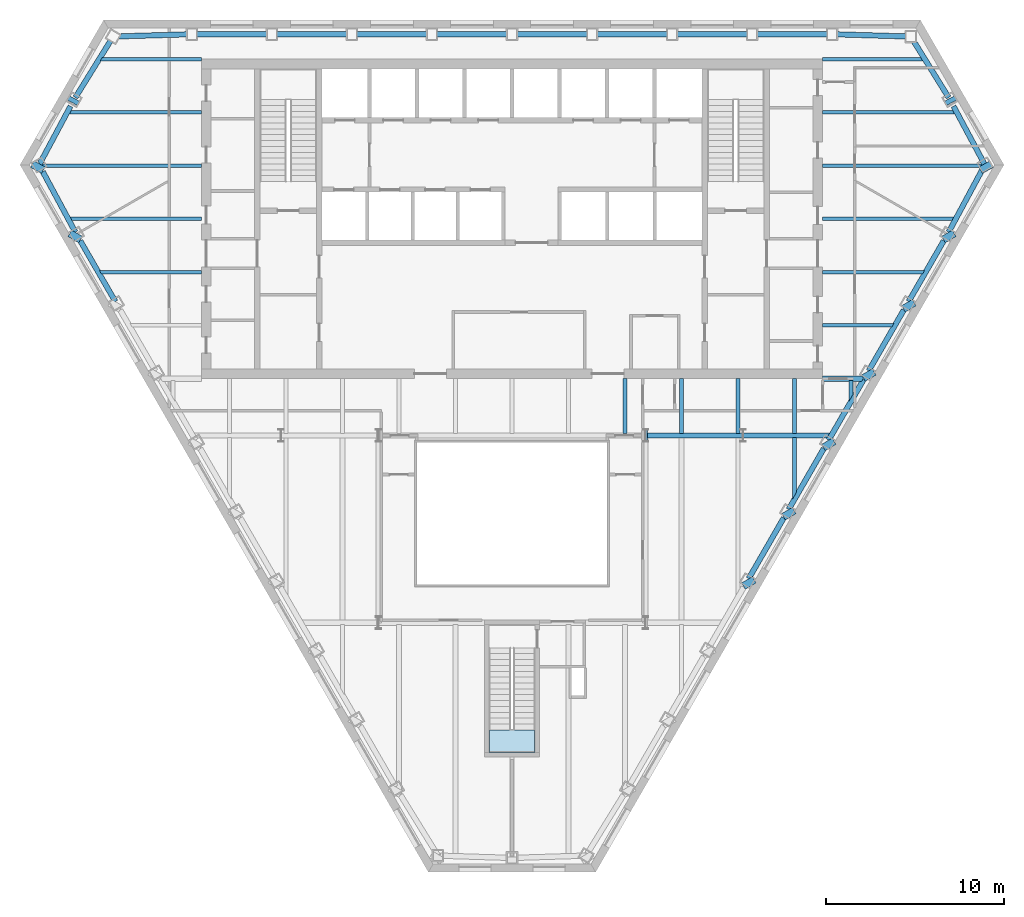
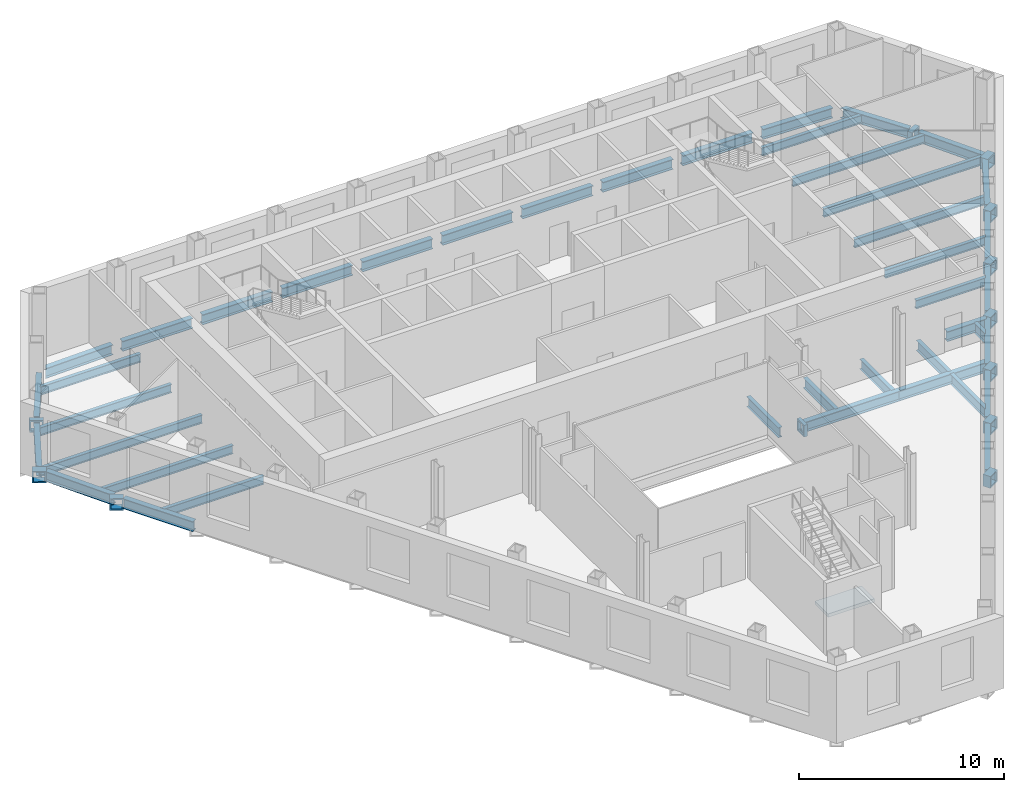
# One storey, part 3 of 11: 54 beams, 1 slab, 1 element without a shape of its own.
"""IFC4 building model written with IfcOpenShell, lengths in metres."""

from ifc_helpers import new_model, si_unit, direction, frame, origin, origin_2d, place, context, subcontext, project, spatial, polyline, hollow_rectangle, i_section, outline, extrude, clip, halfspace, material, layer, layer_set, material_profile, profile_set, type_object, element, aggregate, save


model = new_model("IFC4")

# Units and contexts
model_context = context("Model", 3, precision=1e-05, world=origin(), true_north=direction((0.0, 1.0)))
body_context = subcontext(model_context, "Body", "Model", "MODEL_VIEW")
ifc_project = project(units=[si_unit("LENGTHUNIT", "METRE"), si_unit("AREAUNIT", "SQUARE_METRE"), si_unit("VOLUMEUNIT", "CUBIC_METRE"), si_unit("PLANEANGLEUNIT", "RADIAN"), si_unit("MASSUNIT", "GRAM", prefix="KILO")], contexts=[model_context])

# Site, building, storey
site_placement = place(None, origin())
site = spatial("IfcSite", under=ifc_project, at=site_placement, CompositionType="ELEMENT")
building_placement = place(site_placement, origin())
building = spatial("IfcBuilding", under=site, at=building_placement, Name="Njiva Tower", CompositionType="ELEMENT")
storey_placement = place(building_placement, frame((0.0, 0.0, 124.8)))
storey = spatial("IfcBuildingStorey", under=building, at=storey_placement, Name="L26", CompositionType="ELEMENT", Elevation=124.8)

# Beams
ifc_material_1 = material(Name="Steel S355 J2", Category="steel")
ifc_material_profile_1 = material_profile(ifc_material_1, i_section(OverallWidth=0.22, OverallDepth=0.6, WebThickness=0.012, FlangeThickness=0.019, at=origin_2d()), Name="IPE 600")
ifc_profile_set_1 = profile_set([ifc_material_profile_1], Name="Steel S355 J2")
beam_type_1 = type_object("IfcBeamType", Name="B14 Short-span floor joist IPE 600", PredefinedType="JOIST", material=ifc_profile_set_1)
beam_1_placement = place(storey_placement, frame((6.367, -0.005, -0.5), z_axis=(0.0, -1.0, 0.0), x_axis=(1.0, 0.0, 0.0)))
element("IfcBeam", 1, at=beam_1_placement, inside=storey, type_object=beam_type_1, Name="Short-span floor joist S09-B074", PredefinedType="JOIST", context=body_context, shape_type="SweptSolid", body=[
    extrude(i_section(OverallWidth=0.22, OverallDepth=0.6, WebThickness=0.012, FlangeThickness=0.019, at=origin_2d()), origin(), (0.0, 0.0, 1.0), 3.094),
])
for number, where, z_axis, x_axis, name in (
    (2, (9.55, -0.005, -0.5), (0.0, -1.0, 0.0), (1.0, 0.0, 0.0), "Short-span floor joist S09-B077"),
    (3, (12.733, -0.005, -0.5), (0.0, -1.0, 0.0), (1.0, 0.0, 0.0), "Short-span floor joist S09-B079"),
    (4, (15.917, -0.005, -0.5), (0.0, -1.0, 0.0), (1.0, 0.0, 0.0), "Short-span floor joist S09-B081"),
):
    element("IfcBeam", number, at=place(storey_placement, frame(where, z_axis=z_axis, x_axis=x_axis)), inside=storey, type_object=beam_type_1, Name=name, PredefinedType="JOIST", context=body_context, shape_type="SweptSolid", body=[
        extrude(i_section(OverallWidth=0.22, OverallDepth=0.6, WebThickness=0.012, FlangeThickness=0.019, at=origin_2d()), origin(), (0.0, 0.0, 1.0), 3.095),
    ])
beam_2_placement = place(storey_placement, frame((15.917, -3.3, -0.5), z_axis=(0.0, -1.0, 0.0), x_axis=(1.0, 0.0, 0.0)))
element("IfcBeam", 5, at=beam_2_placement, inside=storey, type_object=beam_type_1, Name="Short-span floor joist S09-B080", PredefinedType="JOIST", context=body_context, shape_type="Clipping", body=[
    clip(extrude(i_section(OverallWidth=0.22, OverallDepth=0.6, WebThickness=0.012, FlangeThickness=0.019, at=origin_2d()), origin(), (0.0, 0.0, 1.0), 3.496), halfspace(frame((0.043, 0.0, 3.2096), z_axis=(0.866026552831, 0.0, 0.499998009787), x_axis=(0.0, 1.0, 0.0)), False)),
])
beam_3_placement = place(storey_placement, frame((19.1, -0.1, -0.5), z_axis=(0.0, -1.0, 0.0), x_axis=(1.0, 0.0, 0.0)))
element("IfcBeam", 6, at=beam_3_placement, inside=storey, type_object=beam_type_1, Name="Short-span floor joist S09-B082", PredefinedType="JOIST", context=body_context, shape_type="Clipping", body=[
    clip(extrude(i_section(OverallWidth=0.22, OverallDepth=0.6, WebThickness=0.012, FlangeThickness=0.019, at=origin_2d()), origin(), (0.0, 0.0, 1.0), 1.182), halfspace(frame((0.0433, 0.0, 0.8959), z_axis=(0.866026552831, 0.0, 0.499998009787), x_axis=(0.0, 1.0, 0.0)), False)),
])
ifc_material_profile_2 = material_profile(ifc_material_1, hollow_rectangle(XDim=0.7, YDim=0.7, WallThickness=0.08, at=origin_2d()), Name="BOX 700x700x80")
ifc_profile_set_2 = profile_set([ifc_material_profile_2], Name="Steel S355 J2")
beam_type_2 = type_object("IfcBeamType", Name="B19 Column jog beam BOX 700x700x80", PredefinedType="BEAM", material=ifc_profile_set_2)
beam_4_placement = place(storey_placement, frame((-24.76, 15.538, -0.55), z_axis=(0.470976207759, 0.882145912945, 0.0), x_axis=(-0.882145912945, 0.470976207759, 0.0)))
element("IfcBeam", 7, at=beam_4_placement, inside=storey, type_object=beam_type_2, Name="Column jog beam S09-B026", PredefinedType="BEAM", context=body_context, shape_type="SweptSolid", body=[
    extrude(hollow_rectangle(XDim=0.7, YDim=0.7, WallThickness=0.08, at=origin_2d()), origin(), (0.0, 0.0, 1.0), 0.2675),
])
beam_5_placement = place(storey_placement, frame((-26.807, 11.73, -0.55), z_axis=(0.487068314529, 0.873363874328, 0.0), x_axis=(-0.873363874328, 0.487068314529, 0.0)))
element("IfcBeam", 8, at=beam_5_placement, inside=storey, type_object=beam_type_2, Name="Column jog beam S09-B025", PredefinedType="BEAM", context=body_context, shape_type="SweptSolid", body=[
    extrude(hollow_rectangle(XDim=0.7, YDim=0.7, WallThickness=0.08, at=origin_2d()), origin(), (0.0, 0.0, 1.0), 0.4168),
])
beam_6_placement = place(storey_placement, frame((-24.707, 7.827, -0.55), z_axis=(0.489919139289, 0.871767880206, 0.0), x_axis=(-0.871767880206, 0.489919139289, 0.0)))
element("IfcBeam", 9, at=beam_6_placement, inside=storey, type_object=beam_type_2, Name="Column jog beam S09-B027", PredefinedType="BEAM", context=body_context, shape_type="SweptSolid", body=[
    extrude(hollow_rectangle(XDim=0.7, YDim=0.7, WallThickness=0.08, at=origin_2d()), origin(), (0.0, 0.0, 1.0), 0.4164),
])
for number, where, z_axis, x_axis, name in (
    (10, (13.441, -11.687, -0.55), (-0.501321266831, 0.865261224962, 0.0), (-0.865261224962, -0.501321266831, 0.0), "Column jog beam S09-B046"),
    (11, (15.695, -7.784, -0.55), (-0.501321266831, 0.865261224962, 0.0), (-0.865261224962, -0.501321266831, 0.0), "Column jog beam S09-B047"),
):
    element("IfcBeam", number, at=place(storey_placement, frame(where, z_axis=z_axis, x_axis=x_axis)), inside=storey, type_object=beam_type_2, Name=name, PredefinedType="BEAM", context=body_context, shape_type="SweptSolid", body=[
        extrude(hollow_rectangle(XDim=0.7, YDim=0.7, WallThickness=0.08, at=origin_2d()), origin(), (0.0, 0.0, 1.0), 0.4149),
    ])
beam_7_placement = place(storey_placement, frame((17.948, -3.881, -0.55), z_axis=(-0.498471124258, 0.866906303058, 0.0), x_axis=(-0.866906303058, -0.498471124258, 0.0)))
element("IfcBeam", 12, at=beam_7_placement, inside=storey, type_object=beam_type_2, Name="Column jog beam S09-B048", PredefinedType="BEAM", context=body_context, shape_type="SweptSolid", body=[
    extrude(hollow_rectangle(XDim=0.7, YDim=0.7, WallThickness=0.08, at=origin_2d()), origin(), (0.0, 0.0, 1.0), 0.4153),
])
beam_8_placement = place(storey_placement, frame((20.201, 0.022, -0.55), z_axis=(-0.495620650655, 0.868539101391, 0.0), x_axis=(-0.868539101391, -0.495620650655, 0.0)))
element("IfcBeam", 13, at=beam_8_placement, inside=storey, type_object=beam_type_2, Name="Column jog beam S09-B049", PredefinedType="BEAM", context=body_context, shape_type="SweptSolid", body=[
    extrude(hollow_rectangle(XDim=0.7, YDim=0.7, WallThickness=0.08, at=origin_2d()), origin(), (0.0, 0.0, 1.0), 0.4156),
])
beam_9_placement = place(storey_placement, frame((22.455, 3.925, -0.55), z_axis=(-0.494586791245, 0.86912824481, 0.0), x_axis=(-0.86912824481, -0.494586791245, 0.0)))
element("IfcBeam", 14, at=beam_9_placement, inside=storey, type_object=beam_type_2, Name="Column jog beam S09-B050", PredefinedType="BEAM", context=body_context, shape_type="SweptSolid", body=[
    extrude(hollow_rectangle(XDim=0.7, YDim=0.7, WallThickness=0.08, at=origin_2d()), origin(), (0.0, 0.0, 1.0), 0.4165),
])
beam_10_placement = place(storey_placement, frame((24.707, 7.827, -0.55), z_axis=(-0.489919139289, 0.871767880206, 0.0), x_axis=(-0.871767880206, -0.489919139289, 0.0)))
element("IfcBeam", 15, at=beam_10_placement, inside=storey, type_object=beam_type_2, Name="Column jog beam S09-B051", PredefinedType="BEAM", context=body_context, shape_type="SweptSolid", body=[
    extrude(hollow_rectangle(XDim=0.7, YDim=0.7, WallThickness=0.08, at=origin_2d()), origin(), (0.0, 0.0, 1.0), 0.4164),
])
beam_11_placement = place(storey_placement, frame((26.807, 11.73, -0.55), z_axis=(-0.487068314529, 0.873363874328, 0.0), x_axis=(-0.873363874328, -0.487068314529, 0.0)))
element("IfcBeam", 16, at=beam_11_placement, inside=storey, type_object=beam_type_2, Name="Column jog beam S09-B053", PredefinedType="BEAM", context=body_context, shape_type="SweptSolid", body=[
    extrude(hollow_rectangle(XDim=0.7, YDim=0.7, WallThickness=0.08, at=origin_2d()), origin(), (0.0, 0.0, 1.0), 0.4168),
])
beam_12_placement = place(storey_placement, frame((24.76, 15.538, -0.55), z_axis=(-0.470976207759, 0.882145912945, 0.0), x_axis=(-0.882145912945, -0.470976207759, 0.0)))
element("IfcBeam", 17, at=beam_12_placement, inside=storey, type_object=beam_type_2, Name="Column jog beam S09-B052", PredefinedType="BEAM", context=body_context, shape_type="SweptSolid", body=[
    extrude(hollow_rectangle(XDim=0.7, YDim=0.7, WallThickness=0.08, at=origin_2d()), origin(), (0.0, 0.0, 1.0), 0.2675),
])
beam_13_placement = place(storey_placement, frame((7.64, -3.2, -0.55), z_axis=(-1.0, 0.0, 0.0), x_axis=(0.0, -1.0, 0.0)))
element("IfcBeam", 18, at=beam_13_placement, inside=storey, type_object=beam_type_2, Name="Column jog beam S09-B043", PredefinedType="BEAM", context=body_context, shape_type="SweptSolid", body=[
    extrude(hollow_rectangle(XDim=0.7, YDim=0.7, WallThickness=0.08, at=origin_2d()), origin(), (0.0, 0.0, 1.0), 0.19),
])
ifc_material_profile_3 = material_profile(ifc_material_1, i_section(OverallWidth=0.3, OverallDepth=0.6, WebThickness=0.0155, FlangeThickness=0.03, at=origin_2d()), Name="HEB 600")
ifc_profile_set_3 = profile_set([ifc_material_profile_3], Name="Steel S355 J2")
beam_type_3 = type_object("IfcBeamType", Name="B20 Floor girder HEB 600", PredefinedType="BEAM", material=ifc_profile_set_3)
beam_14_placement = place(storey_placement, frame((7.51, -3.2, -0.5), z_axis=(1.0, 0.0, 0.0), x_axis=(0.0, 1.0, 0.0)))
element("IfcBeam", 19, at=beam_14_placement, inside=storey, type_object=beam_type_3, Name="Floor girder S09-B021", PredefinedType="BEAM", context=body_context, shape_type="SweptSolid", body=[
    extrude(i_section(OverallWidth=0.3, OverallDepth=0.6, WebThickness=0.0155, FlangeThickness=0.03, at=origin_2d()), origin(), (0.0, 0.0, 1.0), 5.49),
])
beam_15_placement = place(storey_placement, frame((13.0, -3.2, -0.5), z_axis=(1.0, 0.0, 0.0), x_axis=(0.0, 1.0, 0.0)))
element("IfcBeam", 20, at=beam_15_placement, inside=storey, type_object=beam_type_3, Name="Floor girder S09-B022", PredefinedType="BEAM", context=body_context, shape_type="Clipping", body=[
    clip(extrude(i_section(OverallWidth=0.3, OverallDepth=0.6, WebThickness=0.0155, FlangeThickness=0.03, at=origin_2d()), origin(), (0.0, 0.0, 1.0), 4.978), halfspace(frame((-0.025, 0.0, 4.8563), z_axis=(-0.499998009787, 0.0, 0.866026552831), x_axis=(0.0, 1.0, 0.0)), False)),
])
ifc_material_profile_4 = material_profile(ifc_material_1, i_section(OverallWidth=0.3, OverallDepth=0.6, WebThickness=0.0155, FlangeThickness=0.03, at=origin_2d()), Name="HEB 600")
ifc_profile_set_4 = profile_set([ifc_material_profile_4], Name="Steel S355 J2")
beam_type_4 = type_object("IfcBeamType", Name="B21 Short-span floor girder HEB 600", PredefinedType="BEAM", material=ifc_profile_set_4)
beam_16_placement = place(storey_placement, frame((17.5, 0.0, -0.5), z_axis=(1.0, 0.0, 0.0), x_axis=(0.0, 1.0, 0.0)))
element("IfcBeam", 21, at=beam_16_placement, inside=storey, type_object=beam_type_4, Name="Short-span floor girder S09-B024", PredefinedType="BEAM", context=body_context, shape_type="Clipping", body=[
    clip(extrude(i_section(OverallWidth=0.3, OverallDepth=0.6, WebThickness=0.0155, FlangeThickness=0.03, at=origin_2d()), origin(), (0.0, 0.0, 1.0), 2.389), halfspace(frame((-0.025, 0.0, 2.2674), z_axis=(-0.499998009787, 0.0, 0.866026552831), x_axis=(0.0, 1.0, 0.0)), False)),
])
ifc_material_profile_5 = material_profile(ifc_material_1, i_section(OverallWidth=0.2, OverallDepth=0.5, WebThickness=0.0102, FlangeThickness=0.016, at=origin_2d()), Name="IPE 500")
ifc_profile_set_5 = profile_set([ifc_material_profile_5], Name="Steel S355 J2")
beam_type_5 = type_object("IfcBeamType", Name="B24 Floor beam to the core IPE 500", PredefinedType="BEAM", material=ifc_profile_set_5)
beam_17_placement = place(storey_placement, frame((-23.26, 6.0, -0.45), z_axis=(1.0, 0.0, 0.0), x_axis=(0.0, 1.0, 0.0)))
element("IfcBeam", 22, at=beam_17_placement, inside=storey, type_object=beam_type_5, Name="Floor beam to the core S09-B005", PredefinedType="BEAM", context=body_context, shape_type="Clipping", body=[
    clip(extrude(i_section(OverallWidth=0.2, OverallDepth=0.5, WebThickness=0.0102, FlangeThickness=0.016, at=origin_2d()), origin(), (0.0, 0.0, 1.0), 5.76), halfspace(frame((-0.025, 0.0, 0.092), z_axis=(-0.499998009787, 0.0, -0.866026552831), x_axis=(0.0, -1.0, 0.0)), False)),
])
beam_18_placement = place(storey_placement, frame((17.5, 6.0, -0.45), z_axis=(1.0, 0.0, 0.0), x_axis=(0.0, 1.0, 0.0)))
element("IfcBeam", 23, at=beam_18_placement, inside=storey, type_object=beam_type_5, Name="Floor beam to the core S09-B009", PredefinedType="BEAM", context=body_context, shape_type="Clipping", body=[
    clip(extrude(i_section(OverallWidth=0.2, OverallDepth=0.5, WebThickness=0.0102, FlangeThickness=0.016, at=origin_2d()), origin(), (0.0, 0.0, 1.0), 5.76), halfspace(frame((-0.025, 0.0, 5.668), z_axis=(-0.499998009787, 0.0, 0.866026552831), x_axis=(0.0, 1.0, 0.0)), False)),
])
beam_19_placement = place(storey_placement, frame((-24.956, 9.0, -0.45), z_axis=(1.0, 0.0, 0.0), x_axis=(0.0, 1.0, 0.0)))
element("IfcBeam", 24, at=beam_19_placement, inside=storey, type_object=beam_type_5, Name="Floor beam to the core S09-B004", PredefinedType="BEAM", context=body_context, shape_type="Clipping", body=[
    clip(extrude(i_section(OverallWidth=0.2, OverallDepth=0.5, WebThickness=0.0102, FlangeThickness=0.016, at=origin_2d()), origin(), (0.0, 0.0, 1.0), 7.456), halfspace(frame((-0.0237, 0.0, 0.0863), z_axis=(-0.473769423091, 0.0, -0.880648927634), x_axis=(0.0, -1.0, 0.0)), False)),
])
beam_20_placement = place(storey_placement, frame((17.5, 9.0, -0.45), z_axis=(1.0, 0.0, 0.0), x_axis=(0.0, 1.0, 0.0)))
element("IfcBeam", 25, at=beam_20_placement, inside=storey, type_object=beam_type_5, Name="Floor beam to the core S09-B010", PredefinedType="BEAM", context=body_context, shape_type="Clipping", body=[
    clip(extrude(i_section(OverallWidth=0.2, OverallDepth=0.5, WebThickness=0.0102, FlangeThickness=0.016, at=origin_2d()), origin(), (0.0, 0.0, 1.0), 7.456), halfspace(frame((-0.0237, 0.0, 7.3697), z_axis=(-0.473769423091, 0.0, 0.880648927634), x_axis=(0.0, 1.0, 0.0)), False)),
])
beam_21_placement = place(storey_placement, frame((-26.635, 12.0, -0.45), z_axis=(1.0, 0.0, 0.0), x_axis=(0.0, 1.0, 0.0)))
element("IfcBeam", 26, at=beam_21_placement, inside=storey, type_object=beam_type_5, Name="Floor beam to the core S09-B001", PredefinedType="BEAM", context=body_context, shape_type="Clipping", body=[
    clip(extrude(i_section(OverallWidth=0.2, OverallDepth=0.5, WebThickness=0.0102, FlangeThickness=0.016, at=origin_2d()), origin(), (0.0, 0.0, 1.0), 9.135), halfspace(frame((-0.025, 0.0, 0.092), z_axis=(-0.499998009787, 0.0, -0.866026552831), x_axis=(0.0, -1.0, 0.0)), False)),
])
beam_22_placement = place(storey_placement, frame((17.5, 12.0, -0.45), z_axis=(1.0, 0.0, 0.0), x_axis=(0.0, 1.0, 0.0)))
element("IfcBeam", 27, at=beam_22_placement, inside=storey, type_object=beam_type_5, Name="Floor beam to the core S09-B012", PredefinedType="BEAM", context=body_context, shape_type="Clipping", body=[
    clip(extrude(i_section(OverallWidth=0.2, OverallDepth=0.5, WebThickness=0.0102, FlangeThickness=0.016, at=origin_2d()), origin(), (0.0, 0.0, 1.0), 9.299), halfspace(frame((-0.0433, 0.0, 9.0306), z_axis=(-0.866026552831, 0.0, 0.499998009787), x_axis=(0.0, 1.0, 0.0)), False)),
])
beam_23_placement = place(storey_placement, frame((-25.009, 15.0, -0.45), z_axis=(1.0, 0.0, 0.0), x_axis=(0.0, 1.0, 0.0)))
element("IfcBeam", 28, at=beam_23_placement, inside=storey, type_object=beam_type_5, Name="Floor beam to the core S09-B003", PredefinedType="BEAM", context=body_context, shape_type="Clipping", body=[
    clip(extrude(i_section(OverallWidth=0.2, OverallDepth=0.5, WebThickness=0.0102, FlangeThickness=0.016, at=origin_2d()), origin(), (0.0, 0.0, 1.0), 7.509), halfspace(frame((0.0236, 0.0, 0.0867), z_axis=(0.472121785733, 0.0, -0.881533334274), x_axis=(0.0, -1.0, 0.0)), False)),
])
beam_24_placement = place(storey_placement, frame((17.5, 15.0, -0.45), z_axis=(1.0, 0.0, 0.0), x_axis=(0.0, 1.0, 0.0)))
element("IfcBeam", 29, at=beam_24_placement, inside=storey, type_object=beam_type_5, Name="Floor beam to the core S09-B013", PredefinedType="BEAM", context=body_context, shape_type="Clipping", body=[
    clip(extrude(i_section(OverallWidth=0.2, OverallDepth=0.5, WebThickness=0.0102, FlangeThickness=0.016, at=origin_2d()), origin(), (0.0, 0.0, 1.0), 7.509), halfspace(frame((0.0236, 0.0, 7.4223), z_axis=(0.472121785733, 0.0, 0.881533334274), x_axis=(0.0, 1.0, 0.0)), False)),
])
beam_25_placement = place(storey_placement, frame((-23.212, 18.0, -0.45), z_axis=(1.0, 0.0, 0.0), x_axis=(0.0, 1.0, 0.0)))
element("IfcBeam", 30, at=beam_25_placement, inside=storey, type_object=beam_type_5, Name="Floor beam to the core S09-B006", PredefinedType="BEAM", context=body_context, shape_type="Clipping", body=[
    clip(extrude(i_section(OverallWidth=0.2, OverallDepth=0.5, WebThickness=0.0102, FlangeThickness=0.016, at=origin_2d()), origin(), (0.0, 0.0, 1.0), 5.712), halfspace(frame((0.0264, 0.0, 0.0984), z_axis=(0.527368089217, 0.0, -0.849636921559), x_axis=(0.0, -1.0, 0.0)), False)),
])
beam_26_placement = place(storey_placement, frame((17.5, 18.0, -0.45), z_axis=(1.0, 0.0, 0.0), x_axis=(0.0, 1.0, 0.0)))
element("IfcBeam", 31, at=beam_26_placement, inside=storey, type_object=beam_type_5, Name="Floor beam to the core S09-B014", PredefinedType="BEAM", context=body_context, shape_type="Clipping", body=[
    clip(extrude(i_section(OverallWidth=0.2, OverallDepth=0.5, WebThickness=0.0102, FlangeThickness=0.016, at=origin_2d()), origin(), (0.0, 0.0, 1.0), 5.712), halfspace(frame((0.0264, 0.0, 5.6136), z_axis=(0.527368089217, 0.0, 0.849636921559), x_axis=(0.0, 1.0, 0.0)), False)),
])
ifc_material_profile_6 = material_profile(ifc_material_1, i_section(OverallWidth=0.2, OverallDepth=0.5, WebThickness=0.0102, FlangeThickness=0.016, at=origin_2d()), Name="IPE 500")
ifc_profile_set_6 = profile_set([ifc_material_profile_6], Name="Steel S355 J2")
beam_type_6 = type_object("IfcBeamType", Name="B25 Short-span floor beam to the core IPE 500", PredefinedType="BEAM", material=ifc_profile_set_6)
beam_27_placement = place(storey_placement, frame((17.5, 3.0, -0.45), z_axis=(1.0, 0.0, 0.0), x_axis=(0.0, 1.0, 0.0)))
element("IfcBeam", 32, at=beam_27_placement, inside=storey, type_object=beam_type_6, Name="Short-span floor beam to the core S09-B008", PredefinedType="BEAM", context=body_context, shape_type="Clipping", body=[
    clip(extrude(i_section(OverallWidth=0.2, OverallDepth=0.5, WebThickness=0.0102, FlangeThickness=0.016, at=origin_2d()), origin(), (0.0, 0.0, 1.0), 4.028), halfspace(frame((-0.025, 0.0, 3.9359), z_axis=(-0.499998009787, 0.0, 0.866026552831), x_axis=(0.0, 1.0, 0.0)), False)),
])
ifc_material_profile_7 = material_profile(ifc_material_1, i_section(OverallWidth=0.3, OverallDepth=0.6, WebThickness=0.0155, FlangeThickness=0.03, at=origin_2d()), Name="HEB 600")
ifc_profile_set_7 = profile_set([ifc_material_profile_7], Name="Steel S355 J2")
beam_type_7 = type_object("IfcBeamType", Name="B3 Short-span spandrel beam HEB 600", PredefinedType="SPANDREL", material=ifc_profile_set_7)
beam_28_placement = place(storey_placement, frame((22.177, 19.275, -0.5), z_axis=(-0.999543780598, 0.030203156593, 0.0), x_axis=(-0.030203156593, -0.999543780598, 0.0)))
element("IfcBeam", 33, at=beam_28_placement, inside=storey, type_object=beam_type_7, Name="Short-span spandrel beam S09-B143", PredefinedType="SPANDREL", context=body_context, shape_type="SweptSolid", body=[
    extrude(i_section(OverallWidth=0.3, OverallDepth=0.6, WebThickness=0.0155, FlangeThickness=0.03, at=origin_2d()), origin(), (0.0, 0.0, 1.0), 3.8738),
])
beam_29_placement = place(storey_placement, frame((17.751, 19.4, -0.5), z_axis=(-1.0, 0.0, 0.0), x_axis=(0.0, -1.0, 0.0)))
element("IfcBeam", 34, at=beam_29_placement, inside=storey, type_object=beam_type_7, Name="Short-span spandrel beam S09-B137", PredefinedType="SPANDREL", context=body_context, shape_type="SweptSolid", body=[
    extrude(i_section(OverallWidth=0.3, OverallDepth=0.6, WebThickness=0.0155, FlangeThickness=0.03, at=origin_2d()), origin(), (0.0, 0.0, 1.0), 3.956),
])
beam_30_placement = place(storey_placement, frame((13.245, 19.4, -0.5), z_axis=(-1.0, 0.0, 0.0), x_axis=(0.0, -1.0, 0.0)))
element("IfcBeam", 35, at=beam_30_placement, inside=storey, type_object=beam_type_7, Name="Short-span spandrel beam S09-B132", PredefinedType="SPANDREL", context=body_context, shape_type="SweptSolid", body=[
    extrude(i_section(OverallWidth=0.3, OverallDepth=0.6, WebThickness=0.0155, FlangeThickness=0.03, at=origin_2d()), origin(), (0.0, 0.0, 1.0), 3.957),
])
beam_31_placement = place(storey_placement, frame((8.738, 19.4, -0.5), z_axis=(-1.0, 0.0, 0.0), x_axis=(0.0, -1.0, 0.0)))
element("IfcBeam", 36, at=beam_31_placement, inside=storey, type_object=beam_type_7, Name="Short-span spandrel beam S09-B127", PredefinedType="SPANDREL", context=body_context, shape_type="SweptSolid", body=[
    extrude(i_section(OverallWidth=0.3, OverallDepth=0.6, WebThickness=0.0155, FlangeThickness=0.03, at=origin_2d()), origin(), (0.0, 0.0, 1.0), 3.956),
])
for number, where, z_axis, x_axis, name in (
    (37, (4.232, 19.4, -0.5), (-1.0, 0.0, 0.0), (0.0, -1.0, 0.0), "Short-span spandrel beam S09-B122"),
    (38, (-0.275, 19.4, -0.5), (-1.0, 0.0, 0.0), (0.0, -1.0, 0.0), "Short-span spandrel beam S09-B119"),
):
    element("IfcBeam", number, at=place(storey_placement, frame(where, z_axis=z_axis, x_axis=x_axis)), inside=storey, type_object=beam_type_7, Name=name, PredefinedType="SPANDREL", context=body_context, shape_type="SweptSolid", body=[
        extrude(i_section(OverallWidth=0.3, OverallDepth=0.6, WebThickness=0.0155, FlangeThickness=0.03, at=origin_2d()), origin(), (0.0, 0.0, 1.0), 3.957),
    ])
beam_32_placement = place(storey_placement, frame((-4.782, 19.4, -0.5), z_axis=(-1.0, 0.0, 0.0), x_axis=(0.0, -1.0, 0.0)))
element("IfcBeam", 39, at=beam_32_placement, inside=storey, type_object=beam_type_7, Name="Short-span spandrel beam S09-B114", PredefinedType="SPANDREL", context=body_context, shape_type="SweptSolid", body=[
    extrude(i_section(OverallWidth=0.3, OverallDepth=0.6, WebThickness=0.0155, FlangeThickness=0.03, at=origin_2d()), origin(), (0.0, 0.0, 1.0), 3.956),
])
beam_33_placement = place(storey_placement, frame((-9.288, 19.4, -0.5), z_axis=(-1.0, 0.0, 0.0), x_axis=(0.0, -1.0, 0.0)))
element("IfcBeam", 40, at=beam_33_placement, inside=storey, type_object=beam_type_7, Name="Short-span spandrel beam S09-B109", PredefinedType="SPANDREL", context=body_context, shape_type="SweptSolid", body=[
    extrude(i_section(OverallWidth=0.3, OverallDepth=0.6, WebThickness=0.0155, FlangeThickness=0.03, at=origin_2d()), origin(), (0.0, 0.0, 1.0), 3.957),
])
beam_34_placement = place(storey_placement, frame((-13.795, 19.4, -0.5), z_axis=(-1.0, 0.0, 0.0), x_axis=(0.0, -1.0, 0.0)))
element("IfcBeam", 41, at=beam_34_placement, inside=storey, type_object=beam_type_7, Name="Short-span spandrel beam S09-B104", PredefinedType="SPANDREL", context=body_context, shape_type="SweptSolid", body=[
    extrude(i_section(OverallWidth=0.3, OverallDepth=0.6, WebThickness=0.0155, FlangeThickness=0.03, at=origin_2d()), origin(), (0.0, 0.0, 1.0), 3.956),
])
beam_35_placement = place(storey_placement, frame((-18.305, 19.392, -0.5), z_axis=(-0.999549830104, -0.03000228558, 0.0), x_axis=(0.03000228558, -0.999549830104, 0.0)))
element("IfcBeam", 42, at=beam_35_placement, inside=storey, type_object=beam_type_7, Name="Short-span spandrel beam S09-B099", PredefinedType="SPANDREL", context=body_context, shape_type="Clipping", body=[
    clip(extrude(i_section(OverallWidth=0.3, OverallDepth=0.6, WebThickness=0.0155, FlangeThickness=0.03, at=origin_2d()), origin(), (0.0, 0.0, 1.0), 3.9127), halfspace(frame((-0.0259, 0.0, 3.7839), z_axis=(-0.525755701692, 0.0, 0.850635610669), x_axis=(0.0, 1.0, 0.0)), False)),
])
beam_36_placement = place(storey_placement, frame((-22.607, 19.032, -0.5), z_axis=(-0.527442191578, -0.849590921882, 0.0), x_axis=(0.849590921882, -0.527442191578, 0.0)))
element("IfcBeam", 43, at=beam_36_placement, inside=storey, type_object=beam_type_7, Name="Short-span spandrel beam S09-B093", PredefinedType="SPANDREL", context=body_context, shape_type="SweptSolid", body=[
    extrude(i_section(OverallWidth=0.3, OverallDepth=0.6, WebThickness=0.0155, FlangeThickness=0.03, at=origin_2d()), origin(), (0.0, 0.0, 1.0), 3.7653),
])
beam_37_placement = place(storey_placement, frame((-24.864, 15.345, -0.5), z_axis=(-0.472048646715, -0.881572501349, 0.0), x_axis=(0.881572501349, -0.472048646715, 0.0)))
element("IfcBeam", 44, at=beam_37_placement, inside=storey, type_object=beam_type_7, Name="Short-span spandrel beam S09-B089", PredefinedType="SPANDREL", context=body_context, shape_type="Clipping", body=[
    clip(extrude(i_section(OverallWidth=0.3, OverallDepth=0.6, WebThickness=0.0155, FlangeThickness=0.03, at=origin_2d()), origin(), (0.0, 0.0, 1.0), 3.8075), halfspace(frame((-0.0263, 0.0, 3.6784), z_axis=(-0.527441810534, 0.0, 0.849591158441), x_axis=(0.0, 1.0, 0.0)), False)),
])
beam_38_placement = place(storey_placement, frame((-26.428, 11.662, -0.5), z_axis=(0.473745879113, -0.880661593362, 0.0), x_axis=(0.880661593362, 0.473745879113, 0.0)))
element("IfcBeam", 45, at=beam_38_placement, inside=storey, type_object=beam_type_7, Name="Short-span spandrel beam S09-B092", PredefinedType="SPANDREL", context=body_context, shape_type="SweptSolid", body=[
    extrude(i_section(OverallWidth=0.3, OverallDepth=0.6, WebThickness=0.0155, FlangeThickness=0.03, at=origin_2d()), origin(), (0.0, 0.0, 1.0), 3.8755),
])
beam_39_placement = place(storey_placement, frame((-24.319, 7.769, -0.5), z_axis=(0.499999616612, -0.866025625133, 0.0), x_axis=(0.866025625133, 0.499999616612, 0.0)))
element("IfcBeam", 46, at=beam_39_placement, inside=storey, type_object=beam_type_7, Name="Short-span spandrel beam S09-B096", PredefinedType="SPANDREL", context=body_context, shape_type="SweptSolid", body=[
    extrude(i_section(OverallWidth=0.3, OverallDepth=0.6, WebThickness=0.0155, FlangeThickness=0.03, at=origin_2d()), origin(), (0.0, 0.0, 1.0), 3.956),
])
beam_40_placement = place(storey_placement, frame((13.327, -11.269, -0.5), z_axis=(0.500079715141, 0.865979375335, 0.0), x_axis=(-0.865979375335, 0.500079715141, 0.0)))
element("IfcBeam", 47, at=beam_40_placement, inside=storey, type_object=beam_type_7, Name="Short-span spandrel beam S09-B135", PredefinedType="SPANDREL", context=body_context, shape_type="SweptSolid", body=[
    extrude(i_section(OverallWidth=0.3, OverallDepth=0.6, WebThickness=0.0155, FlangeThickness=0.03, at=origin_2d()), origin(), (0.0, 0.0, 1.0), 3.9574),
])
beam_41_placement = place(storey_placement, frame((15.581, -7.366, -0.5), z_axis=(0.499890179513, 0.866088799389, 0.0), x_axis=(-0.866088799389, 0.499890179513, 0.0)))
element("IfcBeam", 48, at=beam_41_placement, inside=storey, type_object=beam_type_7, Name="Short-span spandrel beam S09-B139", PredefinedType="SPANDREL", context=body_context, shape_type="SweptSolid", body=[
    extrude(i_section(OverallWidth=0.3, OverallDepth=0.6, WebThickness=0.0155, FlangeThickness=0.03, at=origin_2d()), origin(), (0.0, 0.0, 1.0), 3.9569),
])
beam_42_placement = place(storey_placement, frame((17.834, -3.463, -0.5), z_axis=(0.500189166063, 0.865916161157, 0.0), x_axis=(-0.865916161157, 0.500189166063, 0.0)))
element("IfcBeam", 49, at=beam_42_placement, inside=storey, type_object=beam_type_7, Name="Short-span spandrel beam S09-B141", PredefinedType="SPANDREL", context=body_context, shape_type="SweptSolid", body=[
    extrude(i_section(OverallWidth=0.3, OverallDepth=0.6, WebThickness=0.0155, FlangeThickness=0.03, at=origin_2d()), origin(), (0.0, 0.0, 1.0), 3.9565),
])
beam_43_placement = place(storey_placement, frame((20.088, 0.44, -0.5), z_axis=(0.499890179513, 0.866088799389, 0.0), x_axis=(-0.866088799389, 0.499890179513, 0.0)))
element("IfcBeam", 50, at=beam_43_placement, inside=storey, type_object=beam_type_7, Name="Short-span spandrel beam S09-B145", PredefinedType="SPANDREL", context=body_context, shape_type="SweptSolid", body=[
    extrude(i_section(OverallWidth=0.3, OverallDepth=0.6, WebThickness=0.0155, FlangeThickness=0.03, at=origin_2d()), origin(), (0.0, 0.0, 1.0), 3.9569),
])
beam_44_placement = place(storey_placement, frame((22.341, 4.343, -0.5), z_axis=(0.499999616612, 0.866025625133, 0.0), x_axis=(-0.866025625133, 0.499999616612, 0.0)))
element("IfcBeam", 51, at=beam_44_placement, inside=storey, type_object=beam_type_7, Name="Short-span spandrel beam S09-B147", PredefinedType="SPANDREL", context=body_context, shape_type="SweptSolid", body=[
    extrude(i_section(OverallWidth=0.3, OverallDepth=0.6, WebThickness=0.0155, FlangeThickness=0.03, at=origin_2d()), origin(), (0.0, 0.0, 1.0), 3.956),
])
beam_45_placement = place(storey_placement, frame((24.592, 8.249, -0.5), z_axis=(0.473752496043, 0.880658033798, 0.0), x_axis=(-0.880658033798, 0.473752496043, 0.0)))
element("IfcBeam", 52, at=beam_45_placement, inside=storey, type_object=beam_type_7, Name="Short-span spandrel beam S09-B151", PredefinedType="SPANDREL", context=body_context, shape_type="Clipping", body=[
    clip(extrude(i_section(OverallWidth=0.3, OverallDepth=0.6, WebThickness=0.0155, FlangeThickness=0.03, at=origin_2d()), origin(), (0.0, 0.0, 1.0), 4.0623), halfspace(frame((-0.0263, 0.0, 3.9334), z_axis=(-0.525797936081, 0.0, 0.850609505245), x_axis=(0.0, 1.0, 0.0)), False)),
])
beam_46_placement = place(storey_placement, frame((26.633, 12.042, -0.5), z_axis=(-0.47212512894, 0.881531543748, 0.0), x_axis=(-0.881531543748, -0.47212512894, 0.0)))
element("IfcBeam", 53, at=beam_46_placement, inside=storey, type_object=beam_type_7, Name="Short-span spandrel beam S09-B154", PredefinedType="SPANDREL", context=body_context, shape_type="SweptSolid", body=[
    extrude(i_section(OverallWidth=0.3, OverallDepth=0.6, WebThickness=0.0155, FlangeThickness=0.03, at=origin_2d()), origin(), (0.0, 0.0, 1.0), 3.7469),
])
beam_47_placement = place(storey_placement, frame((24.593, 15.833, -0.5), z_axis=(-0.52751130492, 0.84954801111, 0.0), x_axis=(-0.84954801111, -0.52751130492, 0.0)))
element("IfcBeam", 54, at=beam_47_placement, inside=storey, type_object=beam_type_7, Name="Short-span spandrel beam S09-B150", PredefinedType="SPANDREL", context=body_context, shape_type="Clipping", body=[
    clip(extrude(i_section(OverallWidth=0.3, OverallDepth=0.6, WebThickness=0.0155, FlangeThickness=0.03, at=origin_2d()), origin(), (0.0, 0.0, 1.0), 3.802), halfspace(frame((-0.0267, 0.0, 3.6725), z_axis=(-0.52751130492, 0.0, 0.84954801111), x_axis=(0.0, 1.0, 0.0)), False)),
])

# Stair, slab
ifc_material_2 = material(Name="Concrete C40/50", Category="concrete")
stair_type = type_object("IfcStairType", Name="ST1 Exit stair 1250", PredefinedType="HALF_TURN_STAIR", material=ifc_material_2)
stair_placement = place(storey_placement, origin())
stair = element("IfcStair", 55, at=stair_placement, inside=storey, type_object=stair_type, Name="Stair C", PredefinedType="HALF_TURN_STAIR")
ifc_layer = layer(ifc_material_2, 0.2)
ifc_layer_set = layer_set([ifc_layer], Name="Concrete C40/50")
slab_type = type_object("IfcSlabType", Name="FL9 Stair landing 200", PredefinedType="LANDING", material=ifc_layer_set)
slab_placement = place(storey_placement, frame((0.0, 0.0, 2.05)))
slab = element("IfcSlab", 56, at=slab_placement, type_object=slab_type, Name="ST-C landing 1", PredefinedType="LANDING", context=body_context, shape_type="SweptSolid", body=[
    extrude(outline(polyline([(-1.306, -21.05), (1.306, -21.05), (1.306, -19.78), (-1.306, -19.78), (-1.306, -21.05)])), origin(), (0.0, 0.0, 1.0), 0.2),
])
aggregate(stair, [slab])

save(model, "model.ifc")
